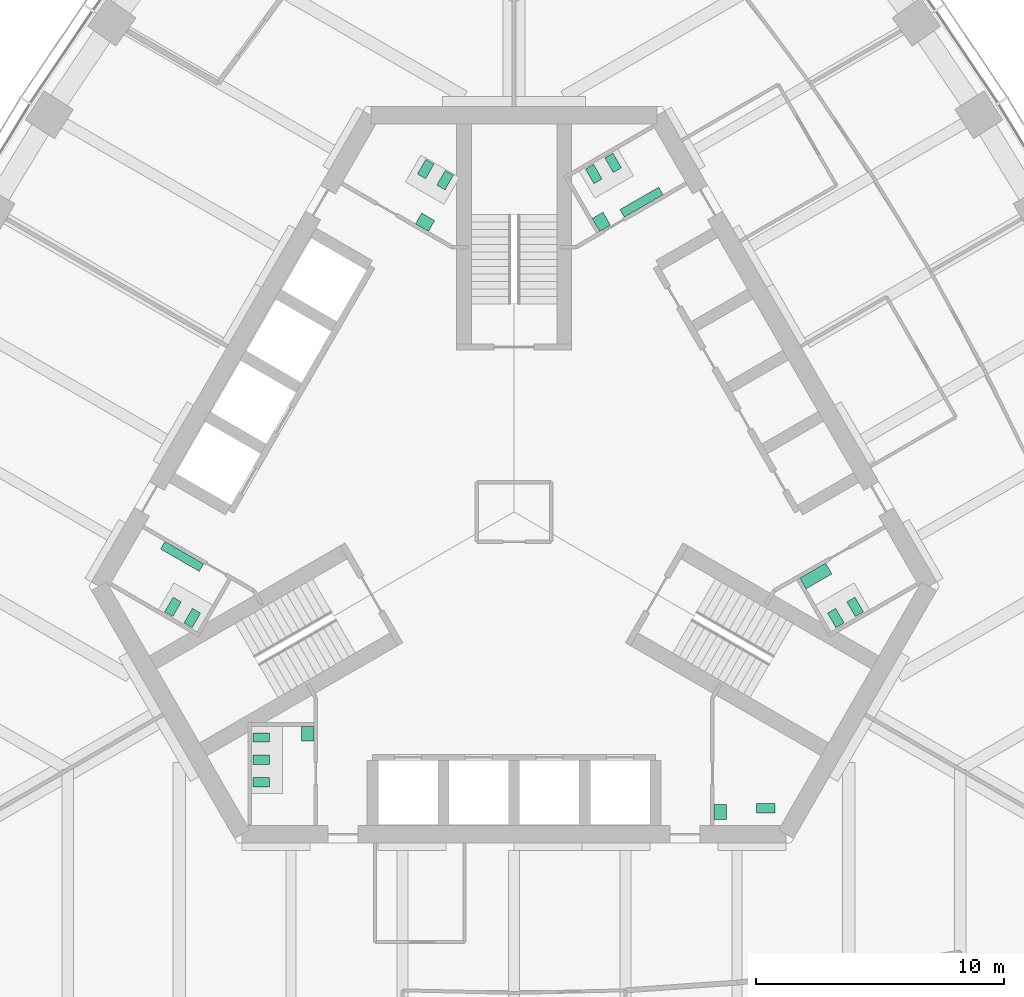
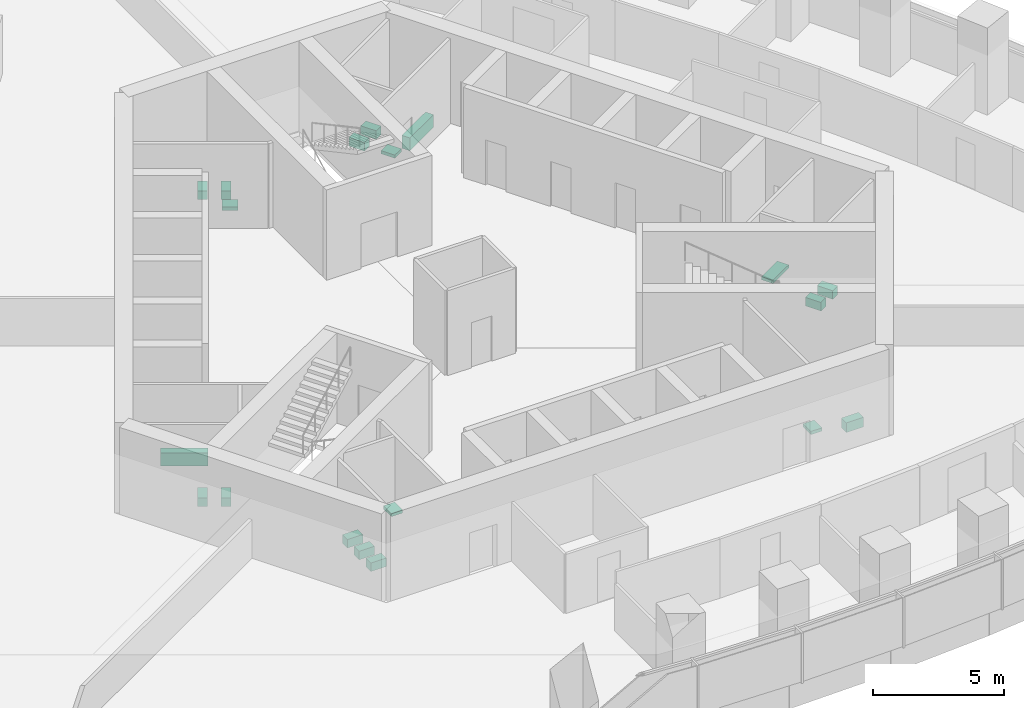
# One storey, part 18 of 19: 19 sanitary terminals.
"""IFC4 building model written with IfcOpenShell, lengths in metres."""

from ifc_helpers import new_model, si_unit, direction, frame, origin, place, context, subcontext, project, spatial, polyline, outline, extrude, material, type_object, element, save


model = new_model("IFC4")

# Units and contexts
model_context = context("Model", 3, precision=1e-05, world=origin(), true_north=direction((0.0, 1.0)))
body_context = subcontext(model_context, "Body", "Model", "MODEL_VIEW")
ifc_project = project(units=[si_unit("LENGTHUNIT", "METRE"), si_unit("AREAUNIT", "SQUARE_METRE"), si_unit("VOLUMEUNIT", "CUBIC_METRE"), si_unit("PLANEANGLEUNIT", "RADIAN"), si_unit("MASSUNIT", "GRAM", prefix="KILO")], contexts=[model_context])

# Site, building, storey
site_placement = place(None, origin())
site = spatial("IfcSite", under=ifc_project, at=site_placement, CompositionType="ELEMENT")
building_placement = place(site_placement, origin())
building = spatial("IfcBuilding", under=site, at=building_placement, Name="Trefoil Bronze Tower", CompositionType="ELEMENT")
storey_placement = place(building_placement, frame((0.0, 0.0, 261.10009765625)))
storey = spatial("IfcBuildingStorey", under=building, at=storey_placement, Name="L60", CompositionType="ELEMENT", Elevation=261.10009765625)

# Sanitary terminals
ifc_material_1 = material(Name="Vitreous china", Category="ceramic")
sanitary_terminal_type_1 = type_object("IfcSanitaryTerminalType", Name="Accessible WC pan", PredefinedType="TOILETPAN", material=ifc_material_1)
sanitary_terminal_1_placement = place(storey_placement, origin())
element("IfcSanitaryTerminal", 1, at=sanitary_terminal_1_placement, inside=storey, type_object=sanitary_terminal_type_1, Name="WC pan 1 Accessible WC L60", PredefinedType="TOILETPAN", context=body_context, shape_type="SweptSolid", body=[
    extrude(outline(polyline([(9.784912109375, -11.77001953125), (10.534912109375, -11.77001953125), (10.534912109375, -12.14990234375), (9.784912109375, -12.14990234375), (9.784912109375, -11.77001953125)])), origin(), (0.0, 0.0, 1.0), 0.449951171875),
])
ifc_material_2 = material(Name="Vitreous china", Category="ceramic")
sanitary_terminal_type_2 = type_object("IfcSanitaryTerminalType", Name="Accessible basin", PredefinedType="WASHHANDBASIN", material=ifc_material_2)
sanitary_terminal_2_placement = place(storey_placement, frame((0.0, 0.0, 0.64990234375)))
element("IfcSanitaryTerminal", 2, at=sanitary_terminal_2_placement, inside=storey, type_object=sanitary_terminal_type_2, Name="Wash basin Accessible WC L60", PredefinedType="WASHHANDBASIN", context=body_context, shape_type="SweptSolid", body=[
    extrude(outline(polyline([(8.074951171875, -11.800048828125), (8.574951171875, -11.800048828125), (8.574951171875, -12.39990234375), (8.074951171875, -12.39990234375), (8.074951171875, -11.800048828125)])), origin(), (0.0, 0.0, 1.0), 0.14990234375),
])
ifc_material_3 = material(Name="Vitreous china", Category="ceramic")
sanitary_terminal_type_3 = type_object("IfcSanitaryTerminalType", Name="Urinal range 3 urinals", PredefinedType="URINAL", material=ifc_material_3)
sanitary_terminal_3_placement = place(storey_placement, frame((0.0, 0.0, 0.39990234375)))
element("IfcSanitaryTerminal", 3, at=sanitary_terminal_3_placement, inside=storey, type_object=sanitary_terminal_type_3, Name="Urinal range WC (men) L60", PredefinedType="URINAL", context=body_context, shape_type="SweptSolid", body=[
    extrude(outline(polyline([(4.449462890625, 11.89306640625), (4.274658203125, 12.1962890625), (5.83349609375, 13.09619140625), (6.00830078125, 12.793212890625), (4.449462890625, 11.89306640625)])), origin(), (0.0, 0.0, 1.0), 0.60009765625),
])
sanitary_terminal_4_placement = place(storey_placement, frame((0.0, 0.0, 0.39990234375)))
element("IfcSanitaryTerminal", 4, at=sanitary_terminal_4_placement, inside=storey, type_object=sanitary_terminal_type_3, Name="Urinal range WC (men) L60", PredefinedType="URINAL", context=body_context, shape_type="SweptSolid", body=[
    extrude(outline(polyline([(-12.524658203125, -2.09326171875), (-12.699462890625, -2.396240234375), (-14.25830078125, -1.496337890625), (-14.08349609375, -1.193115234375), (-12.524658203125, -2.09326171875)])), origin(), (0.0, 0.0, 1.0), 0.60009765625),
])
ifc_material_4 = material(Name="Solid surface vanity", Category="plastic")
sanitary_terminal_type_4 = type_object("IfcSanitaryTerminalType", Name="Vanity unit 1 basins", PredefinedType="WASHHANDBASIN", material=ifc_material_4)
sanitary_terminal_5_placement = place(storey_placement, frame((0.0, 0.0, 0.75)))
element("IfcSanitaryTerminal", 5, at=sanitary_terminal_5_placement, inside=storey, type_object=sanitary_terminal_type_4, Name="Vanity unit WC (men) L60", PredefinedType="WASHHANDBASIN", context=body_context, shape_type="SweptSolid", body=[
    extrude(outline(polyline([(3.45361328125, 11.318115234375), (3.153564453125, 11.837890625), (3.586669921875, 12.087890625), (3.88671875, 11.568115234375), (3.45361328125, 11.318115234375)])), origin(), (0.0, 0.0, 1.0), 0.14990234375),
])
sanitary_terminal_6_placement = place(storey_placement, frame((0.0, 0.0, 0.75)))
element("IfcSanitaryTerminal", 6, at=sanitary_terminal_6_placement, inside=storey, type_object=sanitary_terminal_type_4, Name="Vanity unit WC (women) L60", PredefinedType="WASHHANDBASIN", context=body_context, shape_type="SweptSolid", body=[
    extrude(outline(polyline([(-3.45361328125, 11.318115234375), (-3.20361328125, 11.751220703125), (-3.72314453125, 12.05126953125), (-3.97314453125, 11.6181640625), (-3.45361328125, 11.318115234375)])), origin(), (0.0, 0.0, 1.0), 0.14990234375),
])
sanitary_terminal_7_placement = place(storey_placement, frame((0.0, 0.0, 0.75)))
element("IfcSanitaryTerminal", 7, at=sanitary_terminal_7_placement, inside=storey, type_object=sanitary_terminal_type_4, Name="Vanity unit WC (women) L60", PredefinedType="WASHHANDBASIN", context=body_context, shape_type="SweptSolid", body=[
    extrude(outline(polyline([(-8.074951171875, -8.64990234375), (-8.574951171875, -8.64990234375), (-8.574951171875, -9.25), (-8.074951171875, -9.25), (-8.074951171875, -8.64990234375)])), origin(), (0.0, 0.0, 1.0), 0.14990234375),
])
ifc_material_5 = material(Name="Solid surface vanity", Category="plastic")
sanitary_terminal_type_5 = type_object("IfcSanitaryTerminalType", Name="Vanity unit 2 basins", PredefinedType="WASHHANDBASIN", material=ifc_material_5)
sanitary_terminal_8_placement = place(storey_placement, frame((0.0, 0.0, 0.75)))
element("IfcSanitaryTerminal", 8, at=sanitary_terminal_8_placement, inside=storey, type_object=sanitary_terminal_type_5, Name="Vanity unit WC (women) L60", PredefinedType="WASHHANDBASIN", context=body_context, shape_type="SweptSolid", body=[
    extrude(outline(polyline([(11.528564453125, -2.668212890625), (11.778564453125, -3.10107421875), (12.81787109375, -2.501220703125), (12.56787109375, -2.068115234375), (11.528564453125, -2.668212890625)])), origin(), (0.0, 0.0, 1.0), 0.14990234375),
])
ifc_material_6 = material(Name="Vitreous china", Category="ceramic")
sanitary_terminal_type_6 = type_object("IfcSanitaryTerminalType", Name="WC pan", PredefinedType="TOILETPAN", material=ifc_material_6)
sanitary_terminal_9_placement = place(storey_placement, origin())
element("IfcSanitaryTerminal", 9, at=sanitary_terminal_9_placement, inside=storey, type_object=sanitary_terminal_type_6, Name="WC pan 1 WC (women) L60", PredefinedType="TOILETPAN", context=body_context, shape_type="SweptSolid", body=[
    extrude(outline(polyline([(12.643798828125, -4.07958984375), (12.98388671875, -4.66845703125), (13.31298828125, -4.478515625), (12.972900390625, -3.8896484375), (12.643798828125, -4.07958984375)])), origin(), (0.0, 0.0, 1.0), 0.39990234375),
])
sanitary_terminal_10_placement = place(storey_placement, origin())
element("IfcSanitaryTerminal", 10, at=sanitary_terminal_10_placement, inside=storey, type_object=sanitary_terminal_type_6, Name="WC pan 2 WC (women) L60", PredefinedType="TOILETPAN", context=body_context, shape_type="SweptSolid", body=[
    extrude(outline(polyline([(13.423095703125, -3.629638671875), (13.76318359375, -4.218505859375), (14.09228515625, -4.028564453125), (13.752197265625, -3.439697265625), (13.423095703125, -3.629638671875)])), origin(), (0.0, 0.0, 1.0), 0.39990234375),
])
sanitary_terminal_11_placement = place(storey_placement, origin())
element("IfcSanitaryTerminal", 11, at=sanitary_terminal_11_placement, inside=storey, type_object=sanitary_terminal_type_6, Name="WC pan 1 WC (men) L60", PredefinedType="TOILETPAN", context=body_context, shape_type="SweptSolid", body=[
    extrude(outline(polyline([(3.2216796875, 13.23974609375), (2.8818359375, 13.82861328125), (3.2109375, 14.0185546875), (3.55078125, 13.4296875), (3.2216796875, 13.23974609375)])), origin(), (0.0, 0.0, 1.0), 0.39990234375),
])
sanitary_terminal_12_placement = place(storey_placement, origin())
element("IfcSanitaryTerminal", 12, at=sanitary_terminal_12_placement, inside=storey, type_object=sanitary_terminal_type_6, Name="WC pan 2 WC (men) L60", PredefinedType="TOILETPAN", context=body_context, shape_type="SweptSolid", body=[
    extrude(outline(polyline([(4.001220703125, 13.689697265625), (3.6611328125, 14.278564453125), (3.990234375, 14.468505859375), (4.330322265625, 13.879638671875), (4.001220703125, 13.689697265625)])), origin(), (0.0, 0.0, 1.0), 0.39990234375),
])
sanitary_terminal_13_placement = place(storey_placement, origin())
element("IfcSanitaryTerminal", 13, at=sanitary_terminal_13_placement, inside=storey, type_object=sanitary_terminal_type_6, Name="WC pan 1 WC (women) L60", PredefinedType="TOILETPAN", context=body_context, shape_type="SweptSolid", body=[
    extrude(outline(polyline([(-2.788818359375, 12.98974609375), (-2.44873046875, 13.57861328125), (-2.77783203125, 13.7685546875), (-3.117919921875, 13.1796875), (-2.788818359375, 12.98974609375)])), origin(), (0.0, 0.0, 1.0), 0.39990234375),
])
sanitary_terminal_14_placement = place(storey_placement, origin())
element("IfcSanitaryTerminal", 14, at=sanitary_terminal_14_placement, inside=storey, type_object=sanitary_terminal_type_6, Name="WC pan 2 WC (women) L60", PredefinedType="TOILETPAN", context=body_context, shape_type="SweptSolid", body=[
    extrude(outline(polyline([(-3.568115234375, 13.439697265625), (-3.228271484375, 14.028564453125), (-3.557373046875, 14.218505859375), (-3.897216796875, 13.629638671875), (-3.568115234375, 13.439697265625)])), origin(), (0.0, 0.0, 1.0), 0.39990234375),
])
sanitary_terminal_15_placement = place(storey_placement, origin())
element("IfcSanitaryTerminal", 15, at=sanitary_terminal_15_placement, inside=storey, type_object=sanitary_terminal_type_6, Name="WC pan 1 WC (men) L60", PredefinedType="TOILETPAN", context=body_context, shape_type="SweptSolid", body=[
    extrude(outline(polyline([(-12.643798828125, -4.07958984375), (-12.98388671875, -4.66845703125), (-13.31298828125, -4.478515625), (-12.972900390625, -3.8896484375), (-12.643798828125, -4.07958984375)])), origin(), (0.0, 0.0, 1.0), 0.39990234375),
])
sanitary_terminal_16_placement = place(storey_placement, origin())
element("IfcSanitaryTerminal", 16, at=sanitary_terminal_16_placement, inside=storey, type_object=sanitary_terminal_type_6, Name="WC pan 2 WC (men) L60", PredefinedType="TOILETPAN", context=body_context, shape_type="SweptSolid", body=[
    extrude(outline(polyline([(-13.423095703125, -3.629638671875), (-13.76318359375, -4.218505859375), (-14.09228515625, -4.028564453125), (-13.752197265625, -3.439697265625), (-13.423095703125, -3.629638671875)])), origin(), (0.0, 0.0, 1.0), 0.39990234375),
])
sanitary_terminal_17_placement = place(storey_placement, origin())
element("IfcSanitaryTerminal", 17, at=sanitary_terminal_17_placement, inside=storey, type_object=sanitary_terminal_type_6, Name="WC pan 1 WC (women) L60", PredefinedType="TOILETPAN", context=body_context, shape_type="SweptSolid", body=[
    extrude(outline(polyline([(-9.85498046875, -8.909912109375), (-10.534912109375, -8.909912109375), (-10.534912109375, -9.2900390625), (-9.85498046875, -9.2900390625), (-9.85498046875, -8.909912109375)])), origin(), (0.0, 0.0, 1.0), 0.39990234375),
])
sanitary_terminal_18_placement = place(storey_placement, origin())
element("IfcSanitaryTerminal", 18, at=sanitary_terminal_18_placement, inside=storey, type_object=sanitary_terminal_type_6, Name="WC pan 2 WC (women) L60", PredefinedType="TOILETPAN", context=body_context, shape_type="SweptSolid", body=[
    extrude(outline(polyline([(-9.85498046875, -9.81005859375), (-10.534912109375, -9.81005859375), (-10.534912109375, -10.18994140625), (-9.85498046875, -10.18994140625), (-9.85498046875, -9.81005859375)])), origin(), (0.0, 0.0, 1.0), 0.39990234375),
])
sanitary_terminal_19_placement = place(storey_placement, origin())
element("IfcSanitaryTerminal", 19, at=sanitary_terminal_19_placement, inside=storey, type_object=sanitary_terminal_type_6, Name="WC pan 3 WC (women) L60", PredefinedType="TOILETPAN", context=body_context, shape_type="SweptSolid", body=[
    extrude(outline(polyline([(-9.85498046875, -10.7099609375), (-10.534912109375, -10.7099609375), (-10.534912109375, -11.090087890625), (-9.85498046875, -11.090087890625), (-9.85498046875, -10.7099609375)])), origin(), (0.0, 0.0, 1.0), 0.39990234375),
])

save(model, "model.ifc")
